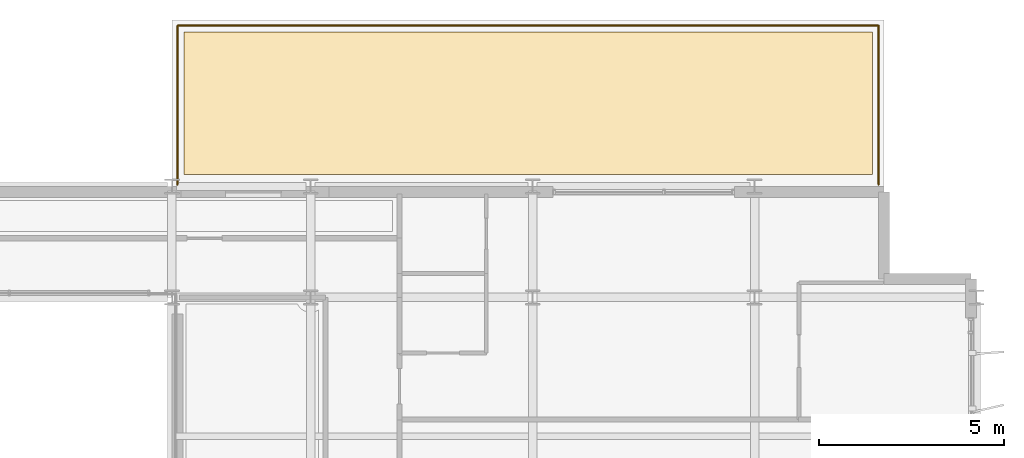
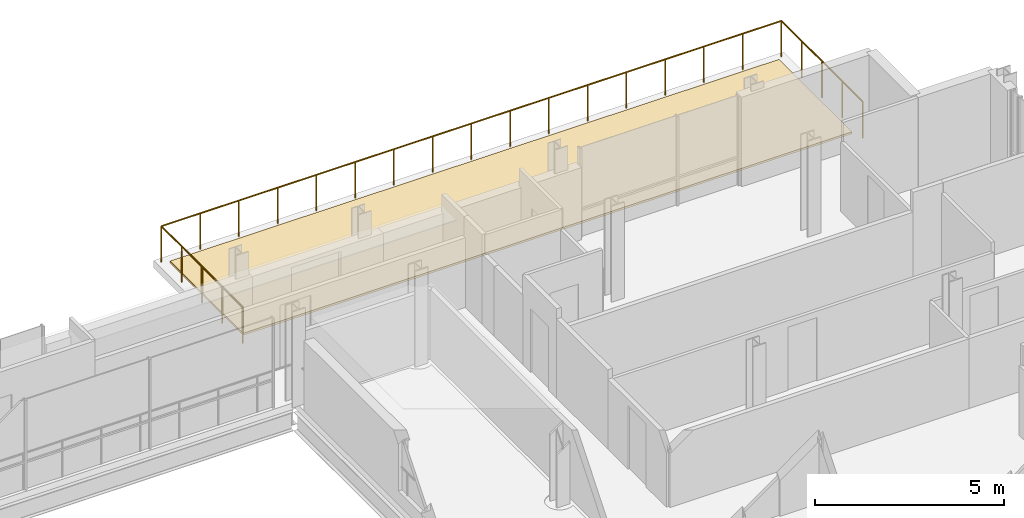
# One storey, part 38 of 38: 1 covering, 1 railing.
"""IFC4 building model written with IfcOpenShell, lengths in metres."""

from ifc_helpers import new_model, si_unit, direction, frame, origin, origin_2d, place, context, subcontext, project, spatial, polyline, circle, outline, extrude, material, layer, layer_set, type_object, element, save


model = new_model("IFC4")

# Units and contexts
model_context = context("Model", 3, precision=1e-05, world=origin(), true_north=direction((0.0, 1.0)))
body_context = subcontext(model_context, "Body", "Model", "MODEL_VIEW")
ifc_project = project(units=[si_unit("LENGTHUNIT", "METRE"), si_unit("AREAUNIT", "SQUARE_METRE"), si_unit("VOLUMEUNIT", "CUBIC_METRE"), si_unit("PLANEANGLEUNIT", "RADIAN"), si_unit("MASSUNIT", "GRAM", prefix="KILO")], contexts=[model_context])

# Site, building, storey
site_placement = place(None, origin())
site = spatial("IfcSite", under=ifc_project, at=site_placement, CompositionType="ELEMENT")
building_placement = place(site_placement, origin())
building = spatial("IfcBuilding", under=site, at=building_placement, Name="Brevholm Reach", CompositionType="ELEMENT")
storey_placement = place(building_placement, frame((0.0, 0.0, 172.800048828125)))
storey = spatial("IfcBuildingStorey", under=building, at=storey_placement, Name="L52", CompositionType="ELEMENT", Elevation=172.800048828125)

# Covering
ifc_material_1 = material(Name="SBS Polymer-Modified Bitumen Waterproofing and Paver Membrane", Category="membrane")
ifc_layer = layer(ifc_material_1, 0.06494140625)
ifc_layer_set = layer_set([ifc_layer], Name="SBS Polymer-Modified Bitumen Waterproofing and Paver Membrane")
covering_type = type_object("IfcCoveringType", Name="COV-ROF-65", PredefinedType="ROOFING", material=ifc_layer_set)
covering_placement = place(storey_placement, frame((0.0, 0.0, 0.030029296875)))
element("IfcCovering", 1, at=covering_placement, inside=storey, type_object=covering_type, Name="L52 Waterproof Terrace Roofing Membrane 5", PredefinedType="ROOFING", context=body_context, shape_type="SweptSolid", body=[
    extrude(outline(polyline([(38.570068359375, 26.820068359375), (38.570068359375, 30.679931640625), (57.179931640625, 30.679931640625), (57.179931640625, 26.820068359375), (38.570068359375, 26.820068359375)])), origin(), (0.0, 0.0, 1.0), 0.06494140625),
])

# Railing
ifc_material_2 = material(Name="Brushed Stainless Steel EN 1.4401 and Laminated Glass", Category="steel")
railing_type = type_object("IfcRailingType", Name="RAL-TERR-1200", PredefinedType="BALUSTRADE", material=ifc_material_2)
railing_placement = place(storey_placement, frame((38.39990234375, 26.550048828125, 0.0)))
element("IfcRailing", 2, at=railing_placement, inside=storey, type_object=railing_type, Name="L52 Guard Balustrade RAL-L52-TERR-NE", PredefinedType="BALUSTRADE", context=body_context, shape_type="SweptSolid", body=[
    extrude(circle(Radius=0.02392578125, at=origin_2d()), frame((0.0, 0.0, 1.17578125), z_axis=(0.0, 1.0, 0.0), x_axis=(-1.0, 0.0, 0.0)), (0.0, 0.0, 1.0), 4.300048828125),
    extrude(circle(Radius=0.02392578125, at=origin_2d()), frame((0.0, 4.300048828125, 1.17578125), z_axis=(1.0, 0.0, 0.0), x_axis=(0.0, 1.0, 0.0)), (0.0, 0.0, 1.0), 18.9501953125),
    extrude(circle(Radius=0.02392578125, at=origin_2d()), frame((18.9501953125, 4.300048828125, 1.17578125), z_axis=(0.0, -1.0, 0.0), x_axis=(1.0, 0.0, 0.0)), (0.0, 0.0, 1.0), 4.300048828125),
    extrude(circle(Radius=0.02099609375, at=origin_2d()), origin(), (0.0, 0.0, 1.0), 1.15185546875),
    extrude(circle(Radius=0.02099609375, at=origin_2d()), frame((0.0, 1.074951171875, 0.0)), (0.0, 0.0, 1.0), 1.15185546875),
    extrude(circle(Radius=0.02099609375, at=origin_2d()), frame((0.0, 2.14990234375, 0.0)), (0.0, 0.0, 1.0), 1.15185546875),
    extrude(circle(Radius=0.02099609375, at=origin_2d()), frame((0.0, 3.22509765625, 0.0)), (0.0, 0.0, 1.0), 1.15185546875),
    extrude(circle(Radius=0.02099609375, at=origin_2d()), frame((0.0, 4.300048828125, 0.0)), (0.0, 0.0, 1.0), 1.15185546875),
    extrude(circle(Radius=0.02099609375, at=origin_2d()), frame((1.184326171875, 4.300048828125, 0.0)), (0.0, 0.0, 1.0), 1.15185546875),
    extrude(circle(Radius=0.02099609375, at=origin_2d()), frame((2.36865234375, 4.300048828125, 0.0)), (0.0, 0.0, 1.0), 1.15185546875),
    extrude(circle(Radius=0.02099609375, at=origin_2d()), frame((3.55322265625, 4.300048828125, 0.0)), (0.0, 0.0, 1.0), 1.15185546875),
    extrude(circle(Radius=0.02099609375, at=origin_2d()), frame((4.737548828125, 4.300048828125, 0.0)), (0.0, 0.0, 1.0), 1.15185546875),
    extrude(circle(Radius=0.02099609375, at=origin_2d()), frame((5.921875, 4.300048828125, 0.0)), (0.0, 0.0, 1.0), 1.15185546875),
    extrude(circle(Radius=0.02099609375, at=origin_2d()), frame((7.1064453125, 4.300048828125, 0.0)), (0.0, 0.0, 1.0), 1.15185546875),
    extrude(circle(Radius=0.02099609375, at=origin_2d()), frame((8.290771484375, 4.300048828125, 0.0)), (0.0, 0.0, 1.0), 1.15185546875),
    extrude(circle(Radius=0.02099609375, at=origin_2d()), frame((9.47509765625, 4.300048828125, 0.0)), (0.0, 0.0, 1.0), 1.15185546875),
    extrude(circle(Radius=0.02099609375, at=origin_2d()), frame((10.659423828125, 4.300048828125, 0.0)), (0.0, 0.0, 1.0), 1.15185546875),
    extrude(circle(Radius=0.02099609375, at=origin_2d()), frame((11.84375, 4.300048828125, 0.0)), (0.0, 0.0, 1.0), 1.15185546875),
    extrude(circle(Radius=0.02099609375, at=origin_2d()), frame((13.0283203125, 4.300048828125, 0.0)), (0.0, 0.0, 1.0), 1.15185546875),
    extrude(circle(Radius=0.02099609375, at=origin_2d()), frame((14.212646484375, 4.300048828125, 0.0)), (0.0, 0.0, 1.0), 1.15185546875),
    extrude(circle(Radius=0.02099609375, at=origin_2d()), frame((15.39697265625, 4.300048828125, 0.0)), (0.0, 0.0, 1.0), 1.15185546875),
    extrude(circle(Radius=0.02099609375, at=origin_2d()), frame((16.58154296875, 4.300048828125, 0.0)), (0.0, 0.0, 1.0), 1.15185546875),
    extrude(circle(Radius=0.02099609375, at=origin_2d()), frame((17.765869140625, 4.300048828125, 0.0)), (0.0, 0.0, 1.0), 1.15185546875),
    extrude(circle(Radius=0.02099609375, at=origin_2d()), frame((18.9501953125, 4.300048828125, 0.0)), (0.0, 0.0, 1.0), 1.15185546875),
    extrude(circle(Radius=0.02099609375, at=origin_2d()), frame((18.9501953125, 3.22509765625, 0.0)), (0.0, 0.0, 1.0), 1.15185546875),
    extrude(circle(Radius=0.02099609375, at=origin_2d()), frame((18.9501953125, 2.14990234375, 0.0)), (0.0, 0.0, 1.0), 1.15185546875),
    extrude(circle(Radius=0.02099609375, at=origin_2d()), frame((18.9501953125, 1.074951171875, 0.0)), (0.0, 0.0, 1.0), 1.15185546875),
    extrude(circle(Radius=0.02099609375, at=origin_2d()), frame((18.9501953125, 0.0, 0.0)), (0.0, 0.0, 1.0), 1.15185546875),
])

save(model, "model.ifc")
